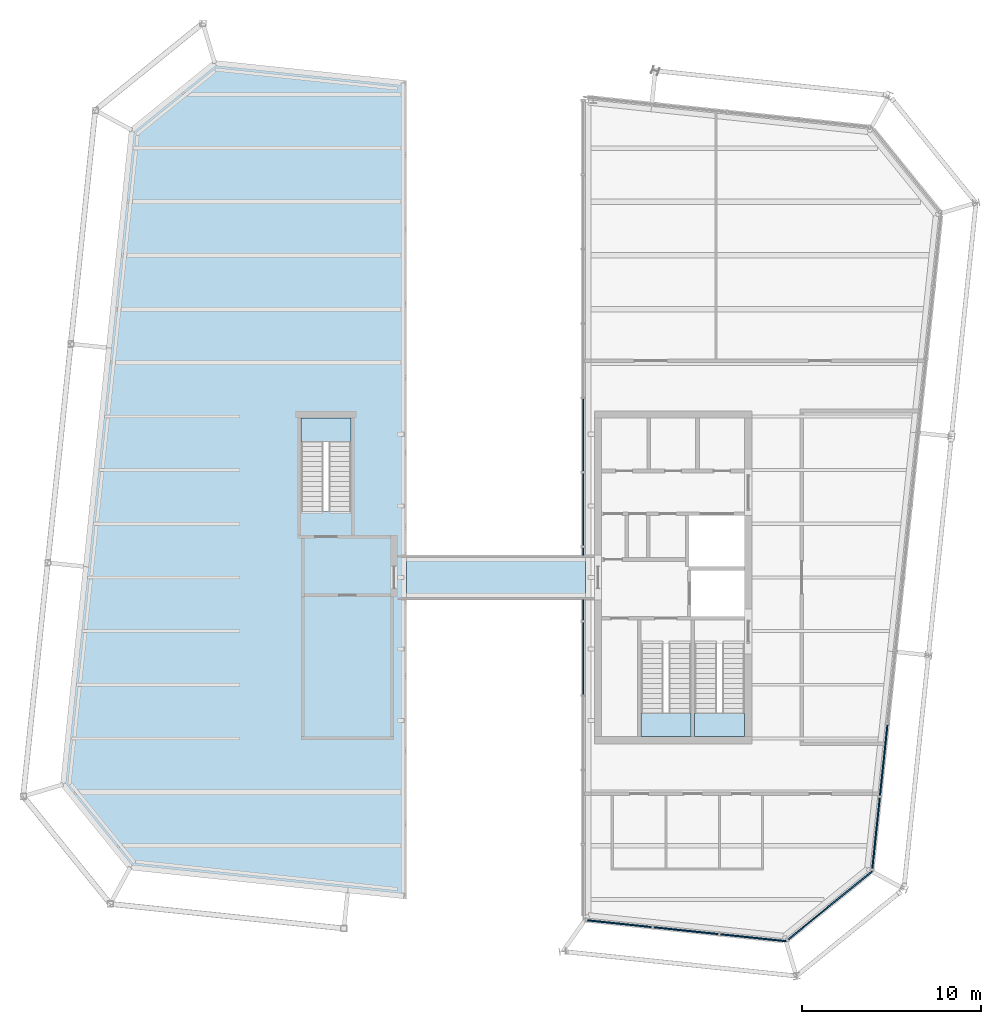
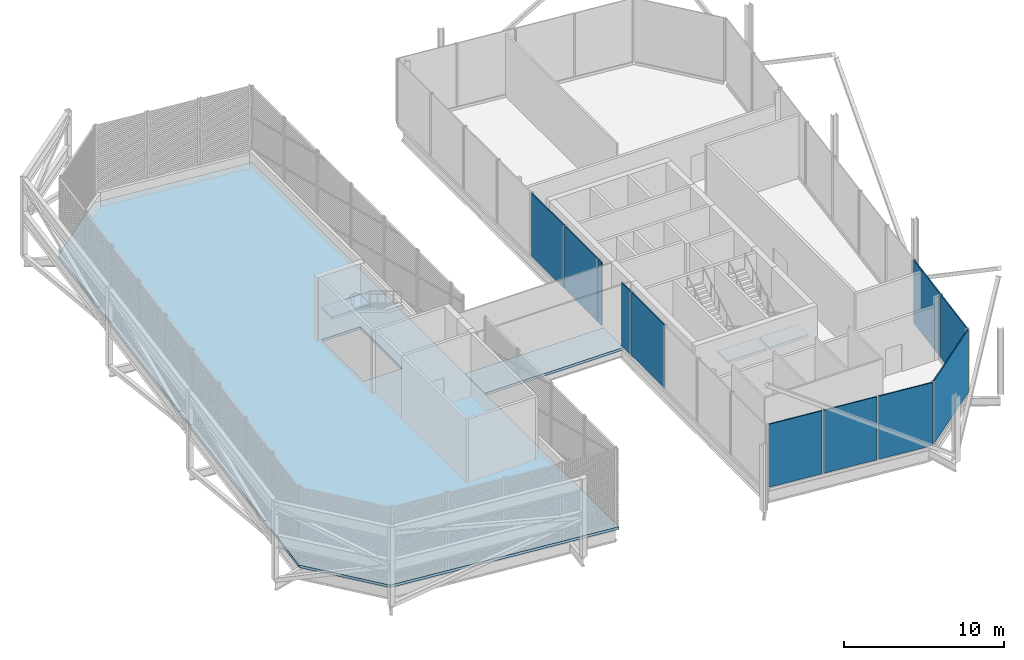
# One storey, part 9 of 15: 11 plates, 5 slabs, 7 elements without a shape of their own.
"""IFC4 building model written with IfcOpenShell, lengths in metres."""

from ifc_helpers import new_model, si_unit, direction, frame, origin, place, context, subcontext, project, spatial, polyline, outline, extrude, material, layer, layer_set, type_object, element, aggregate, save


model = new_model("IFC4")

# Units and contexts
model_context = context("Model", 3, precision=1e-05, world=origin(), true_north=direction((0.0, 1.0)))
body_context = subcontext(model_context, "Body", "Model", "MODEL_VIEW")
ifc_project = project(units=[si_unit("LENGTHUNIT", "METRE"), si_unit("AREAUNIT", "SQUARE_METRE"), si_unit("VOLUMEUNIT", "CUBIC_METRE"), si_unit("PLANEANGLEUNIT", "RADIAN"), si_unit("MASSUNIT", "GRAM", prefix="KILO")], contexts=[model_context])

# Site, building, storey
site_placement = place(None, origin())
site = spatial("IfcSite", under=ifc_project, at=site_placement, CompositionType="ELEMENT")
building_placement = place(site_placement, origin())
building = spatial("IfcBuilding", under=site, at=building_placement, Name="Millrace Tower", CompositionType="ELEMENT")
storey_placement = place(building_placement, frame((0.0, 0.0, 352.10009765625)))
storey = spatial("IfcBuildingStorey", under=building, at=storey_placement, Name="L81", CompositionType="ELEMENT", Elevation=352.10009765625)

# Curtain wall, plates
ifc_material_1 = material(Name="Aluminium and glass", Category="aluminium")
ifc_layer_1 = layer(ifc_material_1, 0.25)
ifc_layer_set_1 = layer_set([ifc_layer_1], Name="Aluminium and glass")
curtain_wall_type = type_object("IfcCurtainWallType", Name="CW-7 crown louvred enclosure", PredefinedType="NOTDEFINED", material=ifc_layer_set_1)
placement_1 = place(storey_placement, origin())
curtain_wall_1 = element("IfcCurtainWall", 1, at=placement_1, inside=storey, type_object=curtain_wall_type, Name="Curtain wall CE-F01 L81", PredefinedType="NOTDEFINED")
ifc_material_2 = material(Name="Glass", Category="glass")
ifc_layer_2 = layer(ifc_material_2, 0.080078125)
ifc_layer_set_2 = layer_set([ifc_layer_2], Name="Glass")
plate_type = type_object("IfcPlateType", Name="CW-7 crown louvred enclosure fixed louvre panel", PredefinedType="CURTAIN_PANEL", material=ifc_layer_set_2)
placement_2 = place(storey_placement, frame((0.0, 0.0, 0.199951171875)))
plate_1 = element("IfcPlate", 2, at=placement_2, type_object=plate_type, Name="CW7 panel CE-F01.5", PredefinedType="CURTAIN_PANEL", context=body_context, shape_type="SweptSolid", body=[
    extrude(outline(polyline([(4.8349609375, 9.984130859375), (4.8349609375, 5.925048828125), (4.9150390625, 5.925048828125), (4.9150390625, 9.984130859375), (4.8349609375, 9.984130859375)])), origin(), (0.0, 0.0, 1.0), 4.800048828125),
])
plate_2 = element("IfcPlate", 3, at=placement_2, type_object=plate_type, Name="CW7 panel CE-F01.6", PredefinedType="CURTAIN_PANEL", context=body_context, shape_type="SweptSolid", body=[
    extrude(outline(polyline([(4.8349609375, 5.824951171875), (4.8349609375, 1.765869140625), (4.9150390625, 1.765869140625), (4.9150390625, 5.824951171875), (4.8349609375, 5.824951171875)])), origin(), (0.0, 0.0, 1.0), 4.800048828125),
])
plate_3 = element("IfcPlate", 4, at=placement_2, type_object=plate_type, Name="CW7 panel CE-F01.8", PredefinedType="CURTAIN_PANEL", context=body_context, shape_type="SweptSolid", body=[
    extrude(outline(polyline([(4.8349609375, -2.4931640625), (4.8349609375, -6.552490234375), (4.9150390625, -6.552490234375), (4.9150390625, -2.4931640625), (4.8349609375, -2.4931640625)])), origin(), (0.0, 0.0, 1.0), 4.800048828125),
])

curtain_wall_2 = element("IfcCurtainWall", 5, at=placement_1, inside=storey, type_object=curtain_wall_type, Name="Curtain wall CE-F02 L81", PredefinedType="NOTDEFINED")
plate_4 = element("IfcPlate", 6, at=placement_2, type_object=plate_type, Name="CW7 panel CE-F02.1", PredefinedType="CURTAIN_PANEL", context=body_context, shape_type="SweptSolid", body=[
    extrude(outline(polyline([(5.082275390625, -19.204345703125), (8.706298828125, -19.585205078125), (8.71484375, -19.505615234375), (5.090576171875, -19.124755859375), (5.082275390625, -19.204345703125)])), origin(), (0.0, 0.0, 1.0), 4.800048828125),
])
plate_5 = element("IfcPlate", 7, at=placement_2, type_object=plate_type, Name="CW7 panel CE-F02.2", PredefinedType="CURTAIN_PANEL", context=body_context, shape_type="SweptSolid", body=[
    extrude(outline(polyline([(8.805908203125, -19.595703125), (12.429931640625, -19.9765625), (12.4384765625, -19.89697265625), (8.814208984375, -19.51611328125), (8.805908203125, -19.595703125)])), origin(), (0.0, 0.0, 1.0), 4.800048828125),
])
plate_6 = element("IfcPlate", 8, at=placement_2, type_object=plate_type, Name="CW7 panel CE-F02.3", PredefinedType="CURTAIN_PANEL", context=body_context, shape_type="SweptSolid", body=[
    extrude(outline(polyline([(12.529541015625, -19.987060546875), (16.2216796875, -20.375244140625), (16.197021484375, -20.292236328125), (12.537841796875, -19.907470703125), (12.529541015625, -19.987060546875)])), origin(), (0.0, 0.0, 1.0), 4.800048828125),
])
aggregate(curtain_wall_2, [plate_4, plate_5, plate_6])

# Curtain wall, plate
curtain_wall_3 = element("IfcCurtainWall", 9, at=placement_1, inside=storey, type_object=curtain_wall_type, Name="Curtain wall CE-F03 L81", PredefinedType="NOTDEFINED")
plate_7 = element("IfcPlate", 10, at=placement_2, type_object=plate_type, Name="CW7 panel CE-F03.1", PredefinedType="CURTAIN_PANEL", context=body_context, shape_type="SweptSolid", body=[
    extrude(outline(polyline([(16.3525390625, -20.269287109375), (21.0537109375, -16.462158203125), (20.977783203125, -16.4208984375), (16.302001953125, -20.20703125), (16.3525390625, -20.269287109375)])), origin(), (0.0, 0.0, 1.0), 4.800048828125),
])
aggregate(curtain_wall_3, [plate_7])

# Curtain wall, plates
curtain_wall_4 = element("IfcCurtainWall", 11, at=placement_1, inside=storey, type_object=curtain_wall_type, Name="Curtain wall CE-F04 L81", PredefinedType="NOTDEFINED")
plate_8 = element("IfcPlate", 12, at=placement_2, type_object=plate_type, Name="CW7 panel CE-F04.1", PredefinedType="CURTAIN_PANEL", context=body_context, shape_type="SweptSolid", body=[
    extrude(outline(polyline([(21.0712890625, -16.294677734375), (21.489501953125, -12.316650390625), (21.409912109375, -12.308349609375), (20.99169921875, -16.286376953125), (21.0712890625, -16.294677734375)])), origin(), (0.0, 0.0, 1.0), 4.800048828125),
])
plate_9 = element("IfcPlate", 13, at=placement_2, type_object=plate_type, Name="CW7 panel CE-F04.2", PredefinedType="CURTAIN_PANEL", context=body_context, shape_type="SweptSolid", body=[
    extrude(outline(polyline([(21.5, -12.21728515625), (21.91796875, -8.239013671875), (21.83837890625, -8.230712890625), (21.42041015625, -12.208740234375), (21.5, -12.21728515625)])), origin(), (0.0, 0.0, 1.0), 4.800048828125),
])
aggregate(curtain_wall_4, [plate_8, plate_9])

# Plate
plate_10 = element("IfcPlate", 14, at=placement_2, type_object=plate_type, Name="CW7 panel CE-F01.7", PredefinedType="CURTAIN_PANEL", context=body_context, shape_type="SweptSolid", body=[
    extrude(outline(polyline([(4.8349609375, -1.239990234375), (4.8349609375, -2.393310546875), (4.9150390625, -2.393310546875), (4.9150390625, -1.239990234375), (4.8349609375, -1.239990234375)])), origin(), (0.0, 0.0, 1.0), 4.800048828125),
])

plate_11 = element("IfcPlate", 15, at=placement_2, type_object=plate_type, Name="CW7 panel CE-F01.7", PredefinedType="CURTAIN_PANEL", context=body_context, shape_type="SweptSolid", body=[
    extrude(outline(polyline([(4.8349609375, 1.666015625), (4.8349609375, 1.239990234375), (4.9150390625, 1.239990234375), (4.9150390625, 1.666015625), (4.8349609375, 1.666015625)])), origin(), (0.0, 0.0, 1.0), 4.800048828125),
])

aggregate(curtain_wall_1, [plate_1, plate_2, plate_3, plate_10, plate_11])

# Slabs
ifc_material_3 = material(Name="Concrete C35 on steel deck", Category="concrete")
ifc_layer_3 = layer(ifc_material_3, 0.199951171875)
ifc_layer_set_3 = layer_set([ifc_layer_3], Name="Concrete C35 on steel deck")
slab_type_1 = type_object("IfcSlabType", Name="Composite floor slab 200 mm", PredefinedType="FLOOR", material=ifc_layer_set_3)
placement_3 = place(storey_placement, frame((0.0, 0.0, -0.2001953125)))
element("IfcSlab", 16, at=placement_3, inside=storey, type_object=slab_type_1, Name="SL-LK-L81", PredefinedType="FLOOR", context=body_context, shape_type="SweptSolid", body=[
    extrude(outline(polyline([(-5.0, -1.239990234375), (5.0, -1.239990234375), (5.0, 1.239990234375), (-5.0, 1.239990234375), (-5.0, -1.239990234375)])), origin(), (0.0, 0.0, 1.0), 0.2001953125),
])
ifc_material_4 = material(Name="Concrete C35 on steel deck", Category="concrete")
ifc_layer_4 = layer(ifc_material_4, 0.199951171875)
ifc_layer_set_4 = layer_set([ifc_layer_4], Name="Concrete C35 on steel deck")
slab_type_2 = type_object("IfcSlabType", Name="Composite roof slab 200 mm", PredefinedType="ROOF", material=ifc_layer_set_4)
element("IfcSlab", 17, at=placement_3, inside=storey, type_object=slab_type_2, Name="SL-CROWN-L81-SW", PredefinedType="ROOF", context=body_context, shape_type="SweptSolid", body=[
    extrude(outline(polyline([(-5.0, -17.978759765625), (-5.0, 27.77197265625), (-15.77099609375, 28.90380859375), (-20.496826171875, 25.076904296875), (-24.35400390625, -11.620849609375), (-20.52685546875, -16.346923828125), (-5.0, -17.978759765625)]), holes=[polyline([(-10.89990234375, 3.679931640625), (-8.10009765625, 3.679931640625), (-8.10009765625, 8.89990234375), (-10.89990234375, 8.89990234375), (-10.89990234375, 3.679931640625)])]), origin(), (0.0, 0.0, 1.0), 0.2001953125),
])

# Stair, slab
ifc_material_5 = material(Name="Concrete C35", Category="concrete")
stair_type = type_object("IfcStairType", Name="Exit stair", PredefinedType="HALF_TURN_STAIR", material=ifc_material_5)
stair_1 = element("IfcStair", 18, at=placement_1, inside=storey, type_object=stair_type, Name="Stair 2 W L81", PredefinedType="HALF_TURN_STAIR")
ifc_material_6 = material(Name="Concrete C40", Category="concrete")
ifc_layer_5 = layer(ifc_material_6, 0.199951171875)
ifc_layer_set_5 = layer_set([ifc_layer_5], Name="Concrete C40")
slab_type_3 = type_object("IfcSlabType", Name="Stair landing", PredefinedType="LANDING", material=ifc_layer_set_5)
placement_4 = place(storey_placement, frame((0.0, 0.0, 2.2998046875)))
slab_3 = element("IfcSlab", 19, at=placement_4, type_object=slab_type_3, Name="ST12 landing 1", PredefinedType="LANDING", context=body_context, shape_type="SweptSolid", body=[
    extrude(outline(polyline([(-10.89990234375, 7.60009765625), (-8.10009765625, 7.60009765625), (-8.10009765625, 8.89990234375), (-10.89990234375, 8.89990234375), (-10.89990234375, 7.60009765625)])), origin(), (0.0, 0.0, 1.0), 0.2001953125),
])
aggregate(stair_1, [slab_3])

stair_2 = element("IfcStair", 20, at=placement_1, inside=storey, type_object=stair_type, Name="Stair 1 E L81", PredefinedType="HALF_TURN_STAIR")
slab_4 = element("IfcSlab", 21, at=placement_4, type_object=slab_type_3, Name="ST12 landing 1", PredefinedType="LANDING", context=body_context, shape_type="SweptSolid", body=[
    extrude(outline(polyline([(11.10009765625, -8.89990234375), (13.89990234375, -8.89990234375), (13.89990234375, -7.60009765625), (11.10009765625, -7.60009765625), (11.10009765625, -8.89990234375)])), origin(), (0.0, 0.0, 1.0), 0.2001953125),
])
aggregate(stair_2, [slab_4])

stair_3 = element("IfcStair", 22, at=placement_1, inside=storey, type_object=stair_type, Name="Stair 2 E L81", PredefinedType="HALF_TURN_STAIR")
slab_5 = element("IfcSlab", 23, at=placement_4, type_object=slab_type_3, Name="ST12 landing 1", PredefinedType="LANDING", context=body_context, shape_type="SweptSolid", body=[
    extrude(outline(polyline([(8.10009765625, -8.89990234375), (10.89990234375, -8.89990234375), (10.89990234375, -7.60009765625), (8.10009765625, -7.60009765625), (8.10009765625, -8.89990234375)])), origin(), (0.0, 0.0, 1.0), 0.2001953125),
])
aggregate(stair_3, [slab_5])

save(model, "model.ifc")
